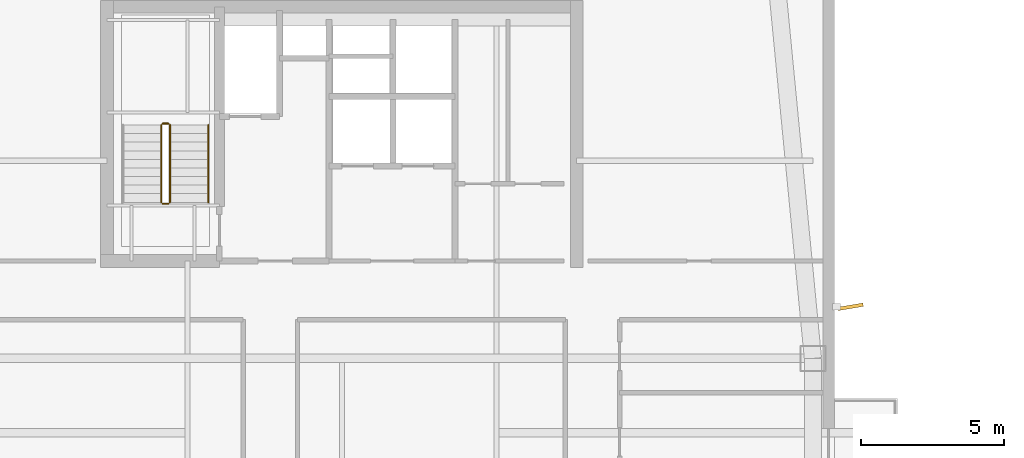
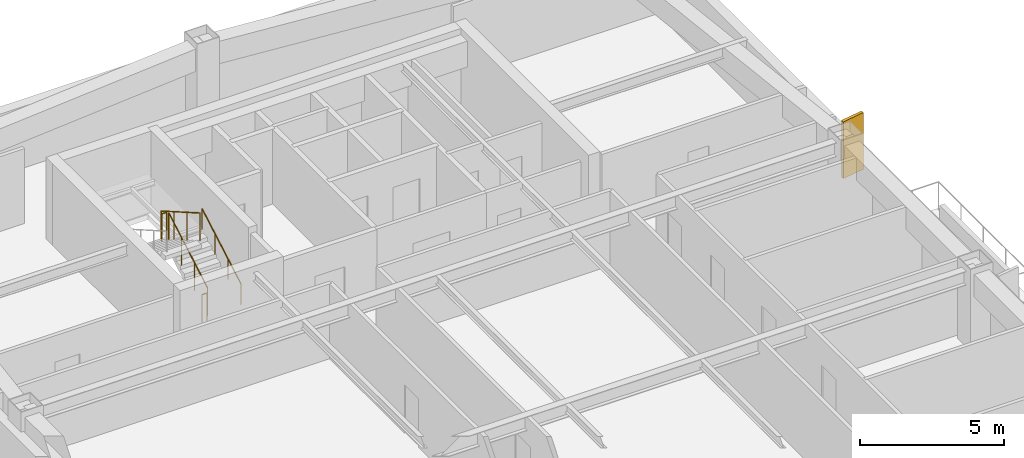
# One storey, part 15 of 17: 5 railings, 1 shading device.
"""IFC4 building model written with IfcOpenShell, lengths in metres."""

import ifcopenshell
import ifcopenshell.guid

model = None  # the IFC model being written
_history = None  # IfcOwnerHistory: only IFC2X3 demands one
_inside = {}  # id of a spatial element -> (the spatial element, [elements in it])
_under = {}  # id of a project, library or spatial element -> (it, [spatial elements below it])
_declared = {}  # id of a project -> (the project, [libraries it declares])
_typed = {}  # id of a type object -> (the type object, [elements of that type])
_made_of = {}  # id of a material, layer set ... -> (it, [elements and type objects made of it])


def new_model(schema):
    """Start an empty IFC model of exactly this schema.

    Asked for "IFC4X3", IfcOpenShell would pick the latest addendum, in which some entities
    have other attributes; the version numbers below select the first issue.
    IFC2X3 requires an IfcOwnerHistory on every rooted entity: one is made here for all.
    """
    global model, _history
    if schema == "IFC4X3":
        model = ifcopenshell.file(schema_version=(4, 3, 0, 0))
    else:
        model = ifcopenshell.file(schema=schema)
    _inside.clear()
    _under.clear()
    _declared.clear()
    _typed.clear()
    _made_of.clear()
    _history = None
    if model.schema == "IFC2X3":
        org = make("IfcOrganization", Name="unknown")
        user = make(
            "IfcPersonAndOrganization",
            ThePerson=make("IfcPerson", FamilyName="unknown"),
            TheOrganization=org,
        )
        app = make(
            "IfcApplication",
            ApplicationDeveloper=org,
            Version="unknown",
            ApplicationFullName="unknown",
            ApplicationIdentifier="unknown",
        )
        _history = make(
            "IfcOwnerHistory",
            OwningUser=user,
            OwningApplication=app,
            ChangeAction="ADDED",
            CreationDate=0,
        )
    return model


def make(cls, **values):
    """One entity of the class cls with the attributes given. An attribute that is None is left unset."""
    return model.create_entity(
        cls, **{name: value for name, value in values.items() if value is not None}
    )


def rooted(cls, **values):
    """An entity with a GlobalId (a new one), such as an element, a storey or a relation."""
    return make(cls, GlobalId=ifcopenshell.guid.new(), OwnerHistory=_history, **values)


def si_unit(unit_type, name, prefix=None):
    """IfcSIUnit, for example si_unit("LENGTHUNIT", "METRE", prefix="MILLI")."""
    return make("IfcSIUnit", UnitType=unit_type, Prefix=prefix, Name=name)


def assignment(units):
    """IfcUnitAssignment: the units of a project."""
    return None if units is None else make("IfcUnitAssignment", Units=units)


def point(xyz):
    """IfcCartesianPoint."""
    return None if xyz is None else make("IfcCartesianPoint", Coordinates=xyz)


def direction(xyz):
    """IfcDirection."""
    return None if xyz is None else make("IfcDirection", DirectionRatios=xyz)


def frame(location, z_axis=None, x_axis=None):
    """IfcAxis2Placement3D, a coordinate frame: its origin and axes. An axis left out is left unset."""
    return make(
        "IfcAxis2Placement3D",
        Location=point(location),
        Axis=direction(z_axis),
        RefDirection=direction(x_axis),
    )


def frame_2d(location, x_axis=None):
    """IfcAxis2Placement2D, a coordinate frame in the plane: its origin and x axis."""
    return make(
        "IfcAxis2Placement2D", Location=point(location), RefDirection=direction(x_axis)
    )


def origin():
    """The frame at (0, 0, 0) with its axes left unset."""
    return frame((0.0, 0.0, 0.0))


def origin_2d():
    """The frame at (0, 0) in the plane with its x axis left unset."""
    return frame_2d((0.0, 0.0))


def place(relative_to, where):
    """IfcLocalPlacement: puts the frame where relative to a parent placement (None: the world)."""
    return make(
        "IfcLocalPlacement", PlacementRelTo=relative_to, RelativePlacement=where
    )


def context(
    kind, dimensions, precision=None, world=None, true_north=None, identifier=None
):
    """IfcGeometricRepresentationContext, for example the 3D "Model" context."""
    return make(
        "IfcGeometricRepresentationContext",
        ContextIdentifier=identifier,
        ContextType=kind,
        CoordinateSpaceDimension=dimensions,
        Precision=precision,
        WorldCoordinateSystem=world,
        TrueNorth=true_north,
    )


def subcontext(parent, identifier, kind, view, scale=None):
    """IfcGeometricRepresentationSubContext, for example "Body" below "Model"."""
    return make(
        "IfcGeometricRepresentationSubContext",
        ContextIdentifier=identifier,
        ContextType=kind,
        ParentContext=parent,
        TargetScale=scale,
        TargetView=view,
    )


def project(units=None, contexts=None):
    """IfcProject with its units and contexts."""
    return rooted(
        "IfcProject",
        Name="project",
        RepresentationContexts=contexts,
        UnitsInContext=assignment(units),
    )


def spatial(cls, under=None, at=None, **own):
    """A site, building, storey or space (cls), placed at a placement, below another one or the project."""
    s = rooted(cls, ObjectPlacement=at, **own)
    if under is not None:
        _under.setdefault(under.id(), (under, []))[1].append(s)
    return s


def profile(cls, at=None, kind="AREA", **sizes):
    """A parametric profile (cls). Its sizes go by their IFC names, for example OverallWidth=200.0."""
    return make(cls, ProfileType=kind, Position=at, **sizes)


def rectangle(**sizes):
    """IfcRectangleProfileDef."""
    return profile("IfcRectangleProfileDef", **sizes)


def circle(**sizes):
    """IfcCircleProfileDef."""
    return profile("IfcCircleProfileDef", **sizes)


def extrude(swept, where, along, depth):
    """IfcExtrudedAreaSolid: the profile swept, set in the frame where, extruded along a direction by depth."""
    return make(
        "IfcExtrudedAreaSolid",
        SweptArea=swept,
        Position=where,
        ExtrudedDirection=direction(along),
        Depth=depth,
    )


def shape(context_of_items, identifier, shape_type, items):
    """IfcShapeRepresentation: the items that make up one representation, for example the "Body"."""
    return make(
        "IfcShapeRepresentation",
        ContextOfItems=context_of_items,
        RepresentationIdentifier=identifier,
        RepresentationType=shape_type,
        Items=items,
    )


def material(Name=None, Category=None):
    """IfcMaterial."""
    return make("IfcMaterial", Name=Name, Category=Category)


def layer(
    of_material, thickness, ventilated=None, Name=None, Category=None, Priority=None
):
    """IfcMaterialLayer: one layer of a wall or slab, of a material (None: an air gap)."""
    return make(
        "IfcMaterialLayer",
        Material=of_material,
        LayerThickness=thickness,
        IsVentilated=ventilated,
        Name=Name,
        Category=Category,
        Priority=Priority,
    )


def layer_set(layers, Name=None):
    """IfcMaterialLayerSet."""
    return make("IfcMaterialLayerSet", MaterialLayers=layers, LayerSetName=Name)


def made_of(thing, what):
    """Note that an element or type object is made of a material, layer set ...; save() writes the relation."""
    if what is not None:
        _made_of.setdefault(what.id(), (what, []))[1].append(thing)
    return thing


def type_object(cls, material=None, **own):
    """A type object (cls), such as IfcWallType, which elements share."""
    return made_of(rooted(cls, **own), material)


def element(
    cls,
    number,
    at=None,
    inside=None,
    cuts=None,
    type_object=None,
    material=None,
    context=None,
    identifier="Body",
    shape_type=None,
    held_by="IfcProductDefinitionShape",
    body=None,
    shapes=None,
    **own,
):
    """One element of the class cls, such as IfcWall. Its Tag is "e" and its number.

    at: its placement. inside: the storey or other place that contains it. cuts: it is an
    opening in that element (IfcRelVoidsElement). A single representation is given by context,
    identifier, shape_type and body (its items); several are given by shapes. held_by: the class
    of the entity that holds the representations. save() writes the other relations.
    """
    e = rooted(cls, Tag="e%d" % number, ObjectPlacement=at, **own)
    if body is not None:
        shapes = [shape(context, identifier, shape_type, body)]
    if shapes is not None:
        e.Representation = make(held_by, Representations=shapes)
    if inside is not None:
        _inside.setdefault(inside.id(), (inside, []))[1].append(e)
    if cuts is not None:
        rooted(
            "IfcRelVoidsElement", RelatingBuildingElement=cuts, RelatedOpeningElement=e
        )
    if type_object is not None:
        _typed.setdefault(type_object.id(), (type_object, []))[1].append(e)
    return made_of(e, material)


def aggregate(whole, parts):
    """IfcRelAggregates: a whole, such as a stair, and the parts it consists of."""
    return rooted("IfcRelAggregates", RelatingObject=whole, RelatedObjects=parts)


def save(model, path):
    """Write the relations noted so far, then the file.

    IfcRelAggregates (storeys below a building ...), IfcRelContainedInSpatialStructure (elements
    in a storey), IfcRelDefinesByType, IfcRelAssociatesMaterial and IfcRelDeclares: one each for
    every whole, place, type object, material and project.
    """
    for whole, parts in _under.values():
        aggregate(whole, parts)
    for where, things in _inside.values():
        rooted(
            "IfcRelContainedInSpatialStructure",
            RelatedElements=things,
            RelatingStructure=where,
        )
    for kind, things in _typed.values():
        rooted("IfcRelDefinesByType", RelatedObjects=things, RelatingType=kind)
    for what, things in _made_of.values():
        rooted("IfcRelAssociatesMaterial", RelatedObjects=things, RelatingMaterial=what)
    for by, libraries in _declared.values():
        rooted("IfcRelDeclares", RelatingContext=by, RelatedDefinitions=libraries)
    model.write(path)


model = new_model("IFC4")

# Units and contexts
model_context = context("Model", 3, precision=1e-05, world=origin(), true_north=direction((0.0, 1.0)))
body_context = subcontext(model_context, "Body", "Model", "MODEL_VIEW")
ifc_project = project(units=[si_unit("LENGTHUNIT", "METRE"), si_unit("AREAUNIT", "SQUARE_METRE"), si_unit("VOLUMEUNIT", "CUBIC_METRE"), si_unit("PLANEANGLEUNIT", "RADIAN"), si_unit("MASSUNIT", "GRAM", prefix="KILO")], contexts=[model_context])

# Site, building, storey
site_placement = place(None, origin())
site = spatial("IfcSite", under=ifc_project, at=site_placement, CompositionType="ELEMENT")
building_placement = place(site_placement, origin())
building = spatial("IfcBuilding", under=site, at=building_placement, Name="Qiaolan Cultural Towers", CompositionType="ELEMENT")
storey_placement = place(building_placement, frame((0.0, 0.0, 205.85009765625)))
storey = spatial("IfcBuildingStorey", under=building, at=storey_placement, Name="L55", CompositionType="ELEMENT", Elevation=205.85009765625)

# Railings
ifc_material_1 = material(Name="Galvanized Painted Steel Stair Guardrail", Category="steel")
railing_type_1 = type_object("IfcRailingType", Name="RL-STAIR-GRD", PredefinedType="GUARDRAIL", material=ifc_material_1)
railing_1_placement = place(storey_placement, frame((23.989990234375, 48.449951171875, 0.17236328125)))
element("IfcRailing", 1, at=railing_1_placement, inside=storey, type_object=railing_type_1, Name="L55 ST-W2 stair guard 1", PredefinedType="GUARDRAIL", context=body_context, shape_type="SweptSolid", body=[
    extrude(circle(Radius=0.02392578125, at=origin_2d()), frame((0.0, 0.0, 1.17578125), z_axis=(0.0, 0.866903762492, 0.498475542607), x_axis=(-1.0, 0.0, 0.0)), (0.0, 0.0, 1.0), 3.114501953125),
    extrude(circle(Radius=0.02099609375, at=origin_2d()), origin(), (0.0, 0.0, 1.0), 1.15185546875),
    extrude(circle(Radius=0.02099609375, at=origin_2d()), frame((0.0, 0.89990234375, 0.517578125)), (0.0, 0.0, 1.0), 1.15185546875),
    extrude(circle(Radius=0.02099609375, at=origin_2d()), frame((0.0, 1.800048828125, 1.034912109375)), (0.0, 0.0, 1.0), 1.15185546875),
    extrude(circle(Radius=0.02099609375, at=origin_2d()), frame((0.0, 2.699951171875, 1.552490234375)), (0.0, 0.0, 1.0), 1.15185546875),
])
railing_2_placement = place(storey_placement, frame((23.93994140625, 51.199951171875, 1.724853515625)))
element("IfcRailing", 2, at=railing_2_placement, inside=storey, type_object=railing_type_1, Name="L55 ST-W2 stair guard 2", PredefinedType="GUARDRAIL", context=body_context, shape_type="SweptSolid", body=[
    extrude(circle(Radius=0.02392578125, at=origin_2d()), frame((0.0, 0.0, 1.17578125), z_axis=(-1.0, 0.0, 0.0), x_axis=(0.0, -1.0, 0.0)), (0.0, 0.0, 1.0), 0.199951171875),
    extrude(circle(Radius=0.02099609375, at=origin_2d()), origin(), (0.0, 0.0, 1.0), 1.15185546875),
    extrude(circle(Radius=0.02099609375, at=origin_2d()), frame((-0.199951171875, 0.0, 0.0)), (0.0, 0.0, 1.0), 1.15185546875),
])
railing_3_placement = place(storey_placement, frame((23.68994140625, 51.14990234375, 1.8974609375)))
element("IfcRailing", 3, at=railing_3_placement, inside=storey, type_object=railing_type_1, Name="L55 ST-W2 stair guard 3", PredefinedType="GUARDRAIL", context=body_context, shape_type="SweptSolid", body=[
    extrude(circle(Radius=0.02392578125, at=origin_2d()), frame((0.0, 0.0, 1.17578125), z_axis=(0.0, -0.866903762492, 0.498475542607), x_axis=(1.0, 0.0, 0.0)), (0.0, 0.0, 1.0), 3.114501953125),
    extrude(circle(Radius=0.02099609375, at=origin_2d()), origin(), (0.0, 0.0, 1.0), 1.15185546875),
    extrude(circle(Radius=0.02099609375, at=origin_2d()), frame((0.0, -0.89990234375, 0.517578125)), (0.0, 0.0, 1.0), 1.15185546875),
    extrude(circle(Radius=0.02099609375, at=origin_2d()), frame((0.0, -1.800048828125, 1.034912109375)), (0.0, 0.0, 1.0), 1.15185546875),
    extrude(circle(Radius=0.02099609375, at=origin_2d()), frame((0.0, -2.699951171875, 1.552490234375)), (0.0, 0.0, 1.0), 1.15185546875),
])
railing_4_placement = place(storey_placement, frame((23.93994140625, 48.39990234375, 0.0)))
element("IfcRailing", 4, at=railing_4_placement, inside=storey, type_object=railing_type_1, Name="L55 ST-W2 stair guard 4", PredefinedType="GUARDRAIL", context=body_context, shape_type="SweptSolid", body=[
    extrude(circle(Radius=0.02392578125, at=origin_2d()), frame((0.0, 0.0, 1.17578125), z_axis=(-1.0, 0.0, 0.0), x_axis=(0.0, -1.0, 0.0)), (0.0, 0.0, 1.0), 0.199951171875),
    extrude(circle(Radius=0.02099609375, at=origin_2d()), origin(), (0.0, 0.0, 1.0), 1.15185546875),
    extrude(circle(Radius=0.02099609375, at=origin_2d()), frame((-0.199951171875, 0.0, 0.0)), (0.0, 0.0, 1.0), 1.15185546875),
])
ifc_material_2 = material(Name="Stainless Steel S30408 Tubular Handrail", Category="steel")
railing_type_2 = type_object("IfcRailingType", Name="RL-STAIR-HR", PredefinedType="HANDRAIL", material=ifc_material_2)
railing_5_placement = place(storey_placement, frame((25.330078125, 48.449951171875, 0.17236328125)))
element("IfcRailing", 5, at=railing_5_placement, inside=storey, type_object=railing_type_2, Name="L55 ST-W2 stair handrail 1", PredefinedType="HANDRAIL", context=body_context, shape_type="SweptSolid", body=[
    extrude(circle(Radius=0.02392578125, at=origin_2d()), frame((0.0, 0.0, 0.8759765625), z_axis=(0.0, 0.866903762492, 0.498475542607), x_axis=(-1.0, 0.0, 0.0)), (0.0, 0.0, 1.0), 3.114501953125),
    extrude(circle(Radius=0.02099609375, at=origin_2d()), origin(), (0.0, 0.0, 1.0), 0.851806640625),
    extrude(circle(Radius=0.02099609375, at=origin_2d()), frame((0.0, 0.89990234375, 0.517578125)), (0.0, 0.0, 1.0), 0.851806640625),
    extrude(circle(Radius=0.02099609375, at=origin_2d()), frame((0.0, 1.800048828125, 1.034912109375)), (0.0, 0.0, 1.0), 0.851806640625),
    extrude(circle(Radius=0.02099609375, at=origin_2d()), frame((0.0, 2.699951171875, 1.552490234375)), (0.0, 0.0, 1.0), 0.851806640625),
])

# Shading device
ifc_material_3 = material(Name="Light Limestone Precast Vertical Fin", Category="masonry")
ifc_layer = layer(ifc_material_3, 0.1201171875)
ifc_layer_set = layer_set([ifc_layer], Name="Light Limestone Precast Vertical Fin")
shading_device_type = type_object("IfcShadingDeviceType", Name="SHD-FIN-WHITE", PredefinedType="USERDEFINED", material=ifc_layer_set)
shading_device_placement = place(storey_placement, frame((47.760009765625, 44.800048828125, 0.10009765625), z_axis=(0.0, 0.0, 1.0), x_axis=(0.98587406802, 0.167488274236, 0.0)))
element("IfcShadingDevice", 6, at=shading_device_placement, inside=storey, type_object=shading_device_type, Name="L55 T1 Expressive Precast Vertical Fin E3", ObjectType="FIN", PredefinedType="USERDEFINED", context=body_context, shape_type="SweptSolid", body=[
    extrude(rectangle(XDim=0.89990234375, YDim=0.1201171875, at=origin_2d()), origin(), (0.0, 0.0, 1.0), 2.409912109375),
])

save(model, "model.ifc")
